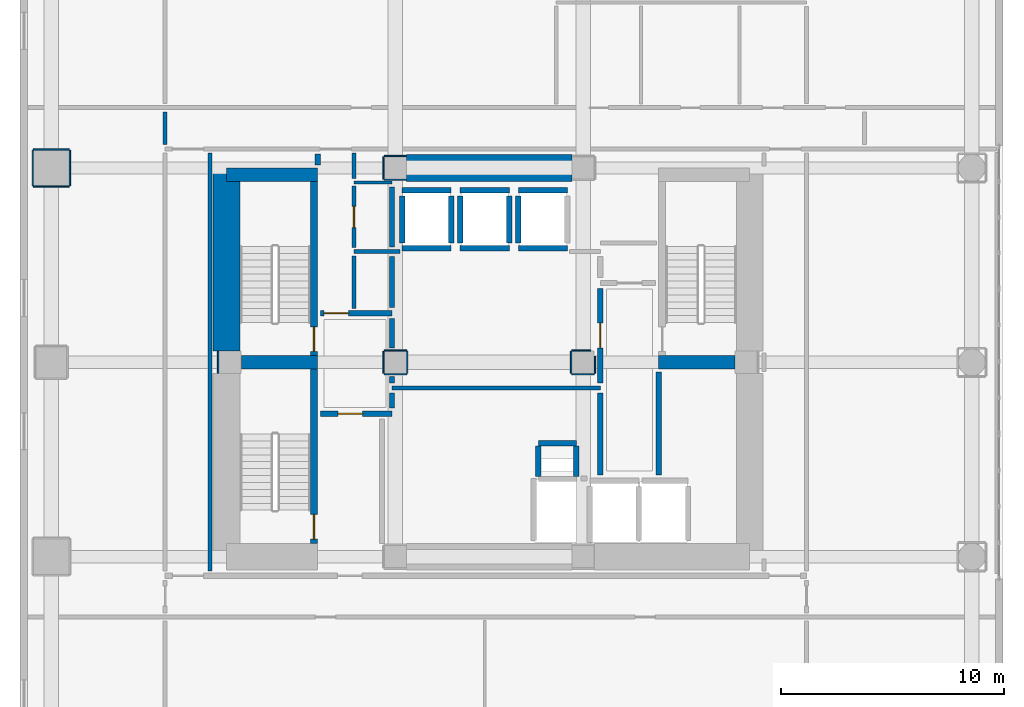
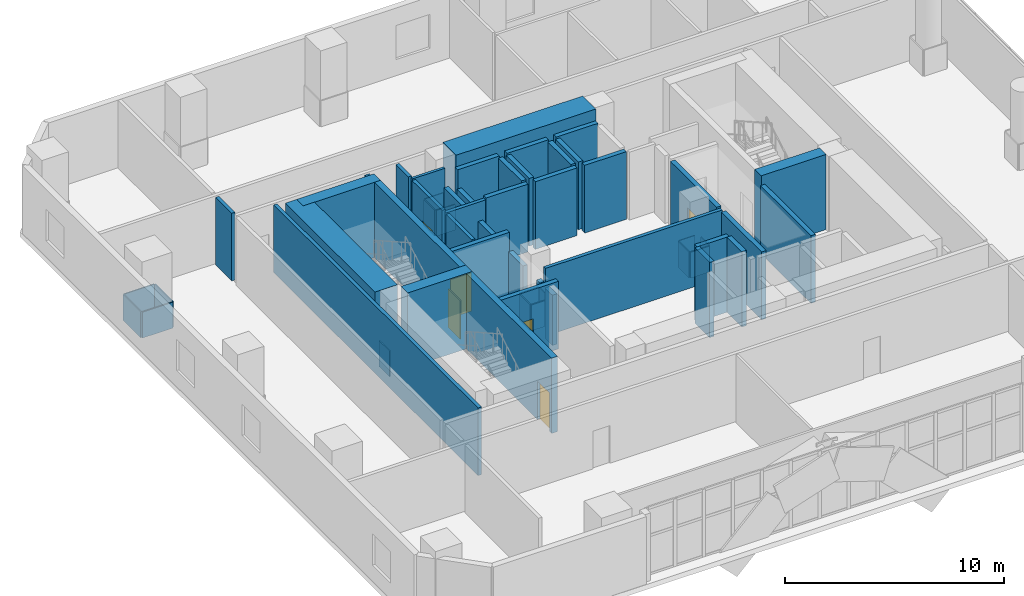
# One storey, part 15 of 22: 56 walls, 6 doors, 6 openings.
"""IFC4 building model written with IfcOpenShell, lengths in metres."""

from ifc_helpers import new_model, si_unit, direction, frame, frame_2d, origin, place, context, subcontext, project, spatial, rectangle, extrude, material, layer, layer_set, type_object, element, fill, save


model = new_model("IFC4")

# Units and contexts
model_context = context("Model", 3, precision=1e-05, world=origin(), true_north=direction((0.0, 1.0)))
body_context = subcontext(model_context, "Body", "Model", "MODEL_VIEW")
ifc_project = project(units=[si_unit("LENGTHUNIT", "METRE"), si_unit("AREAUNIT", "SQUARE_METRE"), si_unit("VOLUMEUNIT", "CUBIC_METRE"), si_unit("PLANEANGLEUNIT", "RADIAN"), si_unit("MASSUNIT", "GRAM", prefix="KILO")], contexts=[model_context])

# Site, building, storey
site_placement = place(None, origin())
site = spatial("IfcSite", under=ifc_project, at=site_placement, CompositionType="ELEMENT")
building_placement = place(site_placement, origin())
building = spatial("IfcBuilding", under=site, at=building_placement, Name="Solanera Arch Residences", CompositionType="ELEMENT")
storey_placement = place(building_placement, frame((0.0, 0.0, 13.60009765625)))
storey = spatial("IfcBuildingStorey", under=building, at=storey_placement, Name="L03", CompositionType="ELEMENT", Elevation=13.60009765625)

# Walls
ifc_material_1 = material(Name="Fire-Rated Gypsum Stud Partition", Category="gypsum")
ifc_layer_1 = layer(ifc_material_1, 0.06005859375)
ifc_layer_set_1 = layer_set([ifc_layer_1], Name="Fire-Rated Gypsum Stud Partition")
wall_type_1 = type_object("IfcWallType", Name="Column Acoustic Furring Wall 60", PredefinedType="PARTITIONING", material=ifc_layer_set_1)
for number, where, z_axis, x_axis, name in (
    (1, (20.300048828125, 38.867919921875, 0.0), (0.0, 0.0, 1.0), (1.0, 0.0, 0.0), "L03 Column Furring 3S"),
    (2, (20.300048828125, 39.931884765625, 0.0), (0.0, 0.0, 1.0), (1.0, 0.0, 0.0), "L03 Column Furring 3N"),
):
    element("IfcWall", number, at=place(storey_placement, frame(where, z_axis=z_axis, x_axis=x_axis)), inside=storey, type_object=wall_type_1, Name=name, PredefinedType="PARTITIONING", context=body_context, shape_type="SweptSolid", body=[
        extrude(rectangle(XDim=0.989990234375, YDim=0.06005859375, at=frame_2d((0.4951171875, 0.0))), origin(), (0.0, 0.0, 1.0), 1.449951171875),
    ])
wall_1_placement = place(storey_placement, frame((20.26806640625, 38.89990234375, 0.0), z_axis=(0.0, 0.0, 1.0), x_axis=(0.0, 1.0, 0.0)))
element("IfcWall", 3, at=wall_1_placement, inside=storey, type_object=wall_type_1, Name="L03 Column Furring 3W", PredefinedType="PARTITIONING", context=body_context, shape_type="SweptSolid", body=[
    extrude(rectangle(XDim=1.0, YDim=0.06005859375, at=frame_2d((0.5, 0.0))), origin(), (0.0, 0.0, 1.0), 1.449951171875),
])
wall_2_placement = place(storey_placement, frame((12.867919921875, 30.2099609375, 0.0), z_axis=(0.0, 0.0, 1.0), x_axis=(0.0, 1.0, 0.0)))
element("IfcWall", 4, at=wall_2_placement, inside=storey, type_object=wall_type_1, Name="L03 Column Furring 5W", PredefinedType="PARTITIONING", context=body_context, shape_type="SweptSolid", body=[
    extrude(rectangle(XDim=0.97998046875, YDim=0.06005859375, at=frame_2d((0.489990234375, 0.0))), origin(), (0.0, 0.0, 1.0), 1.449951171875),
])
for number, where, z_axis, x_axis, name in (
    (5, (20.300048828125, 30.16796875, 0.0), (0.0, 0.0, 1.0), (1.0, 0.0, 0.0), "L03 Column Furring 7S"),
    (6, (20.300048828125, 31.23193359375, 0.0), (0.0, 0.0, 1.0), (1.0, 0.0, 0.0), "L03 Column Furring 7N"),
    (7, (20.26806640625, 30.199951171875, 0.0), (0.0, 0.0, 1.0), (0.0, 1.0, 0.0), "L03 Column Furring 7W"),
    (8, (21.33203125, 30.199951171875, 0.0), (0.0, 0.0, 1.0), (0.0, 1.0, 0.0), "L03 Column Furring 7E"),
    (9, (28.699951171875, 30.16796875, 0.0), (0.0, 0.0, 1.0), (1.0, 0.0, 0.0), "L03 Column Furring 8S"),
):
    element("IfcWall", number, at=place(storey_placement, frame(where, z_axis=z_axis, x_axis=x_axis)), inside=storey, type_object=wall_type_1, Name=name, PredefinedType="PARTITIONING", context=body_context, shape_type="SweptSolid", body=[
        extrude(rectangle(XDim=1.0, YDim=0.06005859375, at=frame_2d((0.5, 0.0))), origin(), (0.0, 0.0, 1.0), 1.449951171875),
    ])
wall_3_placement = place(storey_placement, frame((28.699951171875, 31.23193359375, 0.0), z_axis=(0.0, 0.0, 1.0), x_axis=(1.0, 0.0, 0.0)))
element("IfcWall", 10, at=wall_3_placement, inside=storey, type_object=wall_type_1, Name="L03 Column Furring 8N", PredefinedType="PARTITIONING", context=body_context, shape_type="SweptSolid", body=[
    extrude(rectangle(XDim=0.841064453125, YDim=0.06005859375, at=frame_2d((0.42041015625, 0.0))), origin(), (0.0, 0.0, 1.0), 1.449951171875),
])
wall_4_placement = place(storey_placement, frame((28.66796875, 30.199951171875, 0.0), z_axis=(0.0, 0.0, 1.0), x_axis=(0.0, 1.0, 0.0)))
element("IfcWall", 11, at=wall_4_placement, inside=storey, type_object=wall_type_1, Name="L03 Column Furring 8W", PredefinedType="PARTITIONING", context=body_context, shape_type="SweptSolid", body=[
    extrude(rectangle(XDim=1.0, YDim=0.06005859375, at=frame_2d((0.5, 0.0))), origin(), (0.0, 0.0, 1.0), 1.449951171875),
])
wall_5_placement = place(storey_placement, frame((29.73193359375, 30.199951171875, 0.0), z_axis=(0.0, 0.0, 1.0), x_axis=(0.0, 1.0, 0.0)))
element("IfcWall", 12, at=wall_5_placement, inside=storey, type_object=wall_type_1, Name="L03 Column Furring 8E", PredefinedType="PARTITIONING", context=body_context, shape_type="SweptSolid", body=[
    extrude(rectangle(XDim=0.77197265625, YDim=0.06005859375, at=frame_2d((0.385986328125, 0.0))), origin(), (0.0, 0.0, 1.0), 1.449951171875),
])
for number, where, z_axis, x_axis, name in (
    (13, (4.60009765625, 38.568115234375, 0.0), (0.0, 0.0, 1.0), (1.0, 0.0, 0.0), "L03 Column Furring 17S"),
    (14, (4.60009765625, 40.23193359375, 0.0), (0.0, 0.0, 1.0), (1.0, 0.0, 0.0), "L03 Column Furring 17N"),
    (15, (4.568115234375, 38.60009765625, 0.0), (0.0, 0.0, 1.0), (0.0, 1.0, 0.0), "L03 Column Furring 17W"),
    (16, (6.23193359375, 38.60009765625, 0.0), (0.0, 0.0, 1.0), (0.0, 1.0, 0.0), "L03 Column Furring 17E"),
):
    element("IfcWall", number, at=place(storey_placement, frame(where, z_axis=z_axis, x_axis=x_axis)), inside=storey, type_object=wall_type_1, Name=name, PredefinedType="PARTITIONING", context=body_context, shape_type="SweptSolid", body=[
        extrude(rectangle(XDim=1.599853515625, YDim=0.06005859375, at=frame_2d((0.7998046875, 0.0))), origin(), (0.0, 0.0, 1.0), 1.449951171875),
    ])
ifc_material_2 = material(Name="Concrete C55/67 (f'c = 60 MPa)", Category="concrete")
ifc_layer_2 = layer(ifc_material_2, 1.199951171875)
ifc_layer_set_2 = layer_set([ifc_layer_2], Name="Concrete C55/67 (f'c = 60 MPa)")
wall_type_2 = type_object("IfcWallType", Name="Core Shear Wall CW-1200", PredefinedType="SHEAR", material=ifc_layer_set_2)
wall_6_placement = place(storey_placement, frame((13.239990234375, 31.205078125, 0.0), z_axis=(0.0, 0.0, 1.0), x_axis=(0.0, 1.0, 0.0)))
element("IfcWall", 17, at=wall_6_placement, inside=storey, type_object=wall_type_2, Name="L03 West Core North Shear Wall", PredefinedType="SHEAR", context=body_context, shape_type="SweptSolid", body=[
    extrude(rectangle(XDim=8.19482421875, YDim=1.199951171875, at=frame_2d((4.097412109375, 0.0))), origin(), (0.0, 0.0, 1.0), 4.199951171875),
])
wall_7_placement = place(storey_placement, frame((21.304931640625, 39.39990234375, 0.0), z_axis=(0.0, 0.0, 1.0), x_axis=(1.0, 0.0, 0.0)))
element("IfcWall", 18, at=wall_7_placement, inside=storey, type_object=wall_type_2, Name="L03 Central North Core Shear Wall", PredefinedType="SHEAR", context=body_context, shape_type="SweptSolid", body=[
    extrude(rectangle(XDim=7.39013671875, YDim=1.199951171875, at=frame_2d((3.695068359375, 0.0))), origin(), (0.0, 0.0, 1.0), 4.199951171875),
])

# Wall, opening, door
ifc_material_3 = material(Name="Concrete C40/50 (f'c = 45 MPa)", Category="concrete")
ifc_layer_3 = layer(ifc_material_3, 0.320068359375)
ifc_layer_set_3 = layer_set([ifc_layer_3], Name="Concrete C40/50 (f'c = 45 MPa)")
wall_type_3 = type_object("IfcWallType", Name="Core Shear Wall CW-320", PredefinedType="SHEAR", material=ifc_layer_set_3)
wall_8_placement = place(storey_placement, frame((17.159912109375, 31.0, 0.0), z_axis=(0.0, 0.0, 1.0), x_axis=(0.0, 1.0, 0.0)))
wall_8 = element("IfcWall", 19, at=wall_8_placement, inside=storey, type_object=wall_type_3, Name="L03 Stair ST-T1 East Shear Wall", PredefinedType="SHEAR", context=body_context, shape_type="SweptSolid", body=[
    extrude(rectangle(XDim=7.800048828125, YDim=0.320068359375, at=frame_2d((3.89990234375, 0.0))), origin(), (0.0, 0.0, 1.0), 4.199951171875),
])
opening_1_placement = place(wall_8_placement, frame((0.18994140625, 0.0, 0.0)))
opening_1 = element("IfcOpeningElement", 20, at=opening_1_placement, cuts=wall_8, Name="Opening DF-01", PredefinedType="OPENING", context=body_context, shape_type="SweptSolid", body=[
    extrude(rectangle(XDim=1.10009765625, YDim=2.14990234375, at=frame_2d((0.550048828125, 1.074951171875))), frame((0.0, 0.169921875, 0.0), z_axis=(0.0, -1.0, 0.0), x_axis=(1.0, 0.0, 0.0)), (0.0, 0.0, 1.0), 0.3401),
])
ifc_material_4 = material(Name="Fire-Rated Architectural Hardwood", Category="wood")
door_type_1 = type_object("IfcDoorType", Name="Stair Exit Fire Door DF-01", OperationType="NOTDEFINED", PredefinedType="DOOR", material=ifc_material_4)
door_1_placement = place(opening_1_placement, origin())
door_1 = element("IfcDoor", 21, at=door_1_placement, inside=storey, type_object=door_type_1, Name="DR-L03-STAIR-ST-T1", OperationType="SINGLE_SWING_RIGHT", OverallHeight=2.14990234375, OverallWidth=1.10009765625, PredefinedType="DOOR", context=body_context, shape_type="SweptSolid", body=[
    extrude(rectangle(XDim=1.10009765625, YDim=2.14990234375, at=frame_2d((0.550048828125, 1.074951171875))), frame((0.0, 0.02490234375, 0.0), z_axis=(0.0, -1.0, 0.0), x_axis=(1.0, 0.0, 0.0)), (0.0, 0.0, 1.0), 0.050048828125),
])
fill(opening_1, door_1)

wall_9_placement = place(storey_placement, frame((17.159912109375, 22.60009765625, 0.0), z_axis=(0.0, 0.0, 1.0), x_axis=(0.0, 1.0, 0.0)))
wall_9 = element("IfcWall", 22, at=wall_9_placement, inside=storey, type_object=wall_type_3, Name="L03 Stair ST-T3 East Shear Wall", PredefinedType="SHEAR", context=body_context, shape_type="SweptSolid", body=[
    extrude(rectangle(XDim=7.7998046875, YDim=0.320068359375, at=frame_2d((3.89990234375, 0.0))), origin(), (0.0, 0.0, 1.0), 4.199951171875),
])
opening_2_placement = place(wall_9_placement, frame((0.18994140625, 0.0, 0.0)))
opening_2 = element("IfcOpeningElement", 23, at=opening_2_placement, cuts=wall_9, Name="Opening DF-01", PredefinedType="OPENING", context=body_context, shape_type="SweptSolid", body=[
    extrude(rectangle(XDim=1.10009765625, YDim=2.14990234375, at=frame_2d((0.550048828125, 1.074951171875))), frame((0.0, 0.169921875, 0.0), z_axis=(0.0, -1.0, 0.0), x_axis=(1.0, 0.0, 0.0)), (0.0, 0.0, 1.0), 0.3401),
])
door_2_placement = place(opening_2_placement, origin())
door_2 = element("IfcDoor", 24, at=door_2_placement, inside=storey, type_object=door_type_1, Name="DR-L03-STAIR-ST-T3", OperationType="SINGLE_SWING_RIGHT", OverallHeight=2.14990234375, OverallWidth=1.10009765625, PredefinedType="DOOR", context=body_context, shape_type="SweptSolid", body=[
    extrude(rectangle(XDim=1.10009765625, YDim=2.14990234375, at=frame_2d((0.550048828125, 1.074951171875))), frame((0.0, 0.02490234375, 0.0), z_axis=(0.0, -1.0, 0.0), x_axis=(1.0, 0.0, 0.0)), (0.0, 0.0, 1.0), 0.050048828125),
])
fill(opening_2, door_2)

# Walls
ifc_material_5 = material(Name="Concrete C40/50 (f'c = 45 MPa)", Category="concrete")
ifc_layer_4 = layer(ifc_material_5, 0.60009765625)
ifc_layer_set_4 = layer_set([ifc_layer_4], Name="Concrete C40/50 (f'c = 45 MPa)")
wall_type_4 = type_object("IfcWallType", Name="Core Shear Wall CW-600", PredefinedType="SHEAR", material=ifc_layer_set_4)
wall_10_placement = place(storey_placement, frame((13.239990234375, 39.10009765625, 0.0), z_axis=(0.0, 0.0, 1.0), x_axis=(1.0, 0.0, 0.0)))
element("IfcWall", 25, at=wall_10_placement, inside=storey, type_object=wall_type_4, Name="L03 North-West Core Shear Wall", PredefinedType="SHEAR", context=body_context, shape_type="SweptSolid", body=[
    extrude(rectangle(XDim=4.080078125, YDim=0.60009765625, at=frame_2d((2.0400390625, 0.0))), origin(), (0.0, 0.0, 1.0), 4.199951171875),
])
for number, where, z_axis, x_axis, name in (
    (26, (13.905029296875, 30.699951171875, 0.0), (0.0, 0.0, 1.0), (1.0, 0.0, 0.0), "L03 West Stair Divider Shear Wall"),
    (27, (32.580078125, 30.699951171875, 0.0), (0.0, 0.0, 1.0), (1.0, 0.0, 0.0), "L03 East Stair Far-Landing Shear Wall"),
):
    element("IfcWall", number, at=place(storey_placement, frame(where, z_axis=z_axis, x_axis=x_axis)), inside=storey, type_object=wall_type_4, Name=name, PredefinedType="SHEAR", context=body_context, shape_type="SweptSolid", body=[
        extrude(rectangle(XDim=3.4150390625, YDim=0.60009765625, at=frame_2d((1.70751953125, 0.0))), origin(), (0.0, 0.0, 1.0), 4.199951171875),
    ])
ifc_material_6 = material(Name="Autoclaved Aerated Concrete Blockwork", Category="masonry")
ifc_layer_5 = layer(ifc_material_6, 0.179931640625)
ifc_layer_set_5 = layer_set([ifc_layer_5], Name="Autoclaved Aerated Concrete Blockwork")
wall_type_5 = type_object("IfcWallType", Name="Corridor Fire Partition 180", PredefinedType="PARTITIONING", material=ifc_layer_set_5)
wall_11_placement = place(storey_placement, frame((20.64990234375, 29.550048828125, 0.0), z_axis=(0.0, 0.0, 1.0), x_axis=(1.0, 0.0, 0.0)))
element("IfcWall", 28, at=wall_11_placement, inside=storey, type_object=wall_type_5, Name="L03 Interior Partition H10", PredefinedType="PARTITIONING", context=body_context, shape_type="SweptSolid", body=[
    extrude(rectangle(XDim=9.3251953125, YDim=0.179931640625, at=frame_2d((4.66259765625, 0.0))), origin(), (0.0, 0.0, 1.0), 3.77978515625),
])
wall_12_placement = place(storey_placement, frame((18.949951171875, 35.64990234375, 0.0), z_axis=(0.0, 0.0, 1.0), x_axis=(1.0, 0.0, 0.0)))
element("IfcWall", 29, at=wall_12_placement, inside=storey, type_object=wall_type_5, Name="L03 Interior Partition H11 1", PredefinedType="PARTITIONING", context=body_context, shape_type="SweptSolid", body=[
    extrude(rectangle(XDim=2.05712890625, YDim=0.179931640625, at=frame_2d((1.028564453125, 0.0))), origin(), (0.0, 0.0, 1.0), 3.77978515625),
])
wall_13_placement = place(storey_placement, frame((10.5, 40.43798828125, 0.0), z_axis=(0.0, 0.0, 1.0), x_axis=(0.0, 1.0, 0.0)))
element("IfcWall", 30, at=wall_13_placement, inside=storey, type_object=wall_type_5, Name="L03 Interior Partition V6 4", PredefinedType="PARTITIONING", context=body_context, shape_type="SweptSolid", body=[
    extrude(rectangle(XDim=1.47412109375, YDim=0.179931640625, at=frame_2d((0.737060546875, 0.0))), origin(), (0.0, 0.0, 1.0), 3.77978515625),
])
wall_14_placement = place(storey_placement, frame((12.5, 21.367919921875, 0.0), z_axis=(0.0, 0.0, 1.0), x_axis=(0.0, 1.0, 0.0)))
element("IfcWall", 31, at=wall_14_placement, inside=storey, type_object=wall_type_5, Name="L03 Interior Partition V7", PredefinedType="PARTITIONING", context=body_context, shape_type="SweptSolid", body=[
    extrude(rectangle(XDim=18.694091796875, YDim=0.179931640625, at=frame_2d((9.34716796875, 0.0))), origin(), (0.0, 0.0, 1.0), 3.77978515625),
])
wall_15_placement = place(storey_placement, frame((18.949951171875, 33.117919921875, 0.0), z_axis=(0.0, 0.0, 1.0), x_axis=(0.0, 1.0, 0.0)))
element("IfcWall", 32, at=wall_15_placement, inside=storey, type_object=wall_type_5, Name="L03 Interior Partition V8 1", PredefinedType="PARTITIONING", context=body_context, shape_type="SweptSolid", body=[
    extrude(rectangle(XDim=2.343994140625, YDim=0.179931640625, at=frame_2d((1.171875, 0.0))), origin(), (0.0, 0.0, 1.0), 3.77978515625),
])

# Wall, opening, door
wall_16_placement = place(storey_placement, frame((18.949951171875, 35.837890625, 0.0), z_axis=(0.0, 0.0, 1.0), x_axis=(0.0, 1.0, 0.0)))
wall_16 = element("IfcWall", 33, at=wall_16_placement, inside=storey, type_object=wall_type_5, Name="L03 Interior Partition V8 2", PredefinedType="PARTITIONING", context=body_context, shape_type="SweptSolid", body=[
    extrude(rectangle(XDim=2.744140625, YDim=0.179931640625, at=frame_2d((1.3720703125, 0.0))), origin(), (0.0, 0.0, 1.0), 3.77978515625),
])
opening_3_placement = place(wall_16_placement, frame((0.886962890625, 0.0, 0.0)))
opening_3 = element("IfcOpeningElement", 34, at=opening_3_placement, cuts=wall_16, Name="Opening DI-04", PredefinedType="OPENING", context=body_context, shape_type="SweptSolid", body=[
    extrude(rectangle(XDim=0.949951171875, YDim=2.10009765625, at=frame_2d((0.47509765625, 1.050048828125))), frame((0.0, 0.10009765625, 0.0), z_axis=(0.0, -1.0, 0.0), x_axis=(1.0, 0.0, 0.0)), (0.0, 0.0, 1.0), 0.1999),
])
ifc_material_7 = material(Name="Fire-Rated Architectural Hardwood", Category="wood")
door_type_2 = type_object("IfcDoorType", Name="Accessible Restroom Door DI-04", OperationType="NOTDEFINED", PredefinedType="DOOR", material=ifc_material_7)
door_3_placement = place(opening_3_placement, origin())
door_3 = element("IfcDoor", 35, at=door_3_placement, inside=storey, type_object=door_type_2, Name="DR-L03-IN-023", OperationType="SINGLE_SWING_RIGHT", OverallHeight=2.10009765625, OverallWidth=0.949951171875, PredefinedType="DOOR", context=body_context, shape_type="SweptSolid", body=[
    extrude(rectangle(XDim=0.949951171875, YDim=2.10009765625, at=frame_2d((0.47509765625, 1.050048828125))), frame((0.0, 0.02490234375, 0.0), z_axis=(0.0, -1.0, 0.0), x_axis=(1.0, 0.0, 0.0)), (0.0, 0.0, 1.0), 0.050048828125),
])
fill(opening_3, door_3)

# Walls
wall_17_placement = place(storey_placement, frame((18.949951171875, 38.91796875, 0.0), z_axis=(0.0, 0.0, 1.0), x_axis=(0.0, 1.0, 0.0)))
element("IfcWall", 36, at=wall_17_placement, inside=storey, type_object=wall_type_5, Name="L03 Interior Partition V8 3", PredefinedType="PARTITIONING", context=body_context, shape_type="SweptSolid", body=[
    extrude(rectangle(XDim=1.14404296875, YDim=0.179931640625, at=frame_2d((0.572021484375, 0.0))), origin(), (0.0, 0.0, 1.0), 3.77978515625),
])
ifc_material_8 = material(Name="Concrete C40/50 (f'c = 45 MPa)", Category="concrete")
ifc_layer_6 = layer(ifc_material_8, 0.239990234375)
ifc_layer_set_6 = layer_set([ifc_layer_6], Name="Concrete C40/50 (f'c = 45 MPa)")
wall_type_6 = type_object("IfcWallType", Name="Ramp Bearing Shear Wall RW-240", PredefinedType="SHEAR", material=ifc_layer_set_6)
wall_18_placement = place(storey_placement, frame((27.199951171875, 27.080078125, 0.0), z_axis=(0.0, 0.0, 1.0), x_axis=(1.0, 0.0, 0.0)))
element("IfcWall", 37, at=wall_18_placement, inside=storey, type_object=wall_type_6, Name="L03 Core MEP Riser North Shaft Wall", PredefinedType="SHEAR", context=body_context, shape_type="SweptSolid", body=[
    extrude(rectangle(XDim=1.699951171875, YDim=0.239990234375, at=frame_2d((0.85009765625, 0.0))), origin(), (0.0, 0.0, 1.0), 4.199951171875),
])
for number, where, z_axis, x_axis, name in (
    (38, (27.199951171875, 25.60009765625, 0.0), (0.0, 0.0, 1.0), (0.0, 1.0, 0.0), "L03 Core MEP Riser West Shaft Wall"),
    (39, (28.89990234375, 25.60009765625, 0.0), (0.0, 0.0, 1.0), (0.0, 1.0, 0.0), "L03 Core MEP Riser East Shaft Wall"),
):
    element("IfcWall", number, at=place(storey_placement, frame(where, z_axis=z_axis, x_axis=x_axis)), inside=storey, type_object=wall_type_6, Name=name, PredefinedType="SHEAR", context=body_context, shape_type="SweptSolid", body=[
        extrude(rectangle(XDim=1.35986328125, YDim=0.239990234375, at=frame_2d((0.679931640625, 0.0))), origin(), (0.0, 0.0, 1.0), 4.199951171875),
    ])
ifc_material_9 = material(Name="Autoclaved Aerated Concrete Blockwork", Category="masonry")
ifc_layer_7 = layer(ifc_material_9, 0.239990234375)
ifc_layer_set_7 = layer_set([ifc_layer_7], Name="Autoclaved Aerated Concrete Blockwork")
wall_type_7 = type_object("IfcWallType", Name="Shaft Wall Fire-Rated 240", PredefinedType="PARTITIONING", material=ifc_layer_set_7)
for number, where, z_axis, x_axis, name in (
    (40, (21.10009765625, 35.800048828125, 0.0), (0.0, 0.0, 1.0), (1.0, 0.0, 0.0), "L03 Lift PL-L1 Hoistway Wall S"),
    (41, (21.10009765625, 38.39990234375, 0.0), (0.0, 0.0, 1.0), (1.0, 0.0, 0.0), "L03 Lift PL-L1 Hoistway Wall N"),
):
    element("IfcWall", number, at=place(storey_placement, frame(where, z_axis=z_axis, x_axis=x_axis)), inside=storey, type_object=wall_type_7, Name=name, PredefinedType="PARTITIONING", context=body_context, shape_type="SweptSolid", body=[
        extrude(rectangle(XDim=2.199951171875, YDim=0.239990234375, at=frame_2d((1.10009765625, 0.0))), origin(), (0.0, 0.0, 1.0), 3.77978515625),
    ])
wall_19_placement = place(storey_placement, frame((21.10009765625, 36.048095703125, 0.0), z_axis=(0.0, 0.0, 1.0), x_axis=(0.0, 1.0, 0.0)))
element("IfcWall", 42, at=wall_19_placement, inside=storey, type_object=wall_type_7, Name="L03 Lift PL-L1 Hoistway Wall W", PredefinedType="PARTITIONING", context=body_context, shape_type="SweptSolid", body=[
    extrude(rectangle(XDim=2.10400390625, YDim=0.239990234375, at=frame_2d((1.052001953125, 0.0))), origin(), (0.0, 0.0, 1.0), 2.81494140625),
])
wall_20_placement = place(storey_placement, frame((23.300048828125, 36.048095703125, 0.0), z_axis=(0.0, 0.0, 1.0), x_axis=(0.0, 1.0, 0.0)))
element("IfcWall", 43, at=wall_20_placement, inside=storey, type_object=wall_type_7, Name="L03 Lift PL-L1 Hoistway Wall E", PredefinedType="PARTITIONING", context=body_context, shape_type="SweptSolid", body=[
    extrude(rectangle(XDim=2.10400390625, YDim=0.239990234375, at=frame_2d((1.052001953125, 0.0))), origin(), (0.0, 0.0, 1.0), 3.77978515625),
])
for number, where, z_axis, x_axis, name in (
    (44, (23.699951171875, 35.800048828125, 0.0), (0.0, 0.0, 1.0), (1.0, 0.0, 0.0), "L03 Lift PL-L2 Hoistway Wall S"),
    (45, (23.699951171875, 38.39990234375, 0.0), (0.0, 0.0, 1.0), (1.0, 0.0, 0.0), "L03 Lift PL-L2 Hoistway Wall N"),
):
    element("IfcWall", number, at=place(storey_placement, frame(where, z_axis=z_axis, x_axis=x_axis)), inside=storey, type_object=wall_type_7, Name=name, PredefinedType="PARTITIONING", context=body_context, shape_type="SweptSolid", body=[
        extrude(rectangle(XDim=2.199951171875, YDim=0.239990234375, at=frame_2d((1.10009765625, 0.0))), origin(), (0.0, 0.0, 1.0), 3.77978515625),
    ])
for number, where, z_axis, x_axis, name in (
    (46, (23.699951171875, 36.048095703125, 0.0), (0.0, 0.0, 1.0), (0.0, 1.0, 0.0), "L03 Lift PL-L2 Hoistway Wall W"),
    (47, (25.89990234375, 36.048095703125, 0.0), (0.0, 0.0, 1.0), (0.0, 1.0, 0.0), "L03 Lift PL-L2 Hoistway Wall E"),
):
    element("IfcWall", number, at=place(storey_placement, frame(where, z_axis=z_axis, x_axis=x_axis)), inside=storey, type_object=wall_type_7, Name=name, PredefinedType="PARTITIONING", context=body_context, shape_type="SweptSolid", body=[
        extrude(rectangle(XDim=2.10400390625, YDim=0.239990234375, at=frame_2d((1.052001953125, 0.0))), origin(), (0.0, 0.0, 1.0), 3.77978515625),
    ])
for number, where, z_axis, x_axis, name in (
    (48, (26.300048828125, 35.800048828125, 0.0), (0.0, 0.0, 1.0), (1.0, 0.0, 0.0), "L03 Lift PL-L3 Hoistway Wall S"),
    (49, (26.300048828125, 38.39990234375, 0.0), (0.0, 0.0, 1.0), (1.0, 0.0, 0.0), "L03 Lift PL-L3 Hoistway Wall N"),
):
    element("IfcWall", number, at=place(storey_placement, frame(where, z_axis=z_axis, x_axis=x_axis)), inside=storey, type_object=wall_type_7, Name=name, PredefinedType="PARTITIONING", context=body_context, shape_type="SweptSolid", body=[
        extrude(rectangle(XDim=2.199951171875, YDim=0.239990234375, at=frame_2d((1.10009765625, 0.0))), origin(), (0.0, 0.0, 1.0), 3.77978515625),
    ])
wall_21_placement = place(storey_placement, frame((26.300048828125, 36.048095703125, 0.0), z_axis=(0.0, 0.0, 1.0), x_axis=(0.0, 1.0, 0.0)))
element("IfcWall", 50, at=wall_21_placement, inside=storey, type_object=wall_type_7, Name="L03 Lift PL-L3 Hoistway Wall W", PredefinedType="PARTITIONING", context=body_context, shape_type="SweptSolid", body=[
    extrude(rectangle(XDim=2.10400390625, YDim=0.239990234375, at=frame_2d((1.052001953125, 0.0))), origin(), (0.0, 0.0, 1.0), 3.77978515625),
])

# Wall, opening, door
wall_22_placement = place(storey_placement, frame((17.449951171875, 28.39990234375, 0.0), z_axis=(0.0, 0.0, 1.0), x_axis=(1.0, 0.0, 0.0)))
wall_22 = element("IfcWall", 51, at=wall_22_placement, inside=storey, type_object=wall_type_7, Name="L03 Interior Partition H3", PredefinedType="PARTITIONING", context=body_context, shape_type="SweptSolid", body=[
    extrude(rectangle(XDim=3.199951171875, YDim=0.239990234375, at=frame_2d((1.60009765625, 0.0))), origin(), (0.0, 0.0, 1.0), 3.77978515625),
])
opening_4_placement = place(wall_22_placement, frame((0.783935546875, 0.0, 0.0)))
opening_4 = element("IfcOpeningElement", 52, at=opening_4_placement, cuts=wall_22, Name="Opening DF-02", PredefinedType="OPENING", context=body_context, shape_type="SweptSolid", body=[
    extrude(rectangle(XDim=1.10009765625, YDim=2.14990234375, at=frame_2d((0.550048828125, 1.074951171875))), frame((0.0, 0.1298828125, 0.0), z_axis=(0.0, -1.0, 0.0), x_axis=(1.0, 0.0, 0.0)), (0.0, 0.0, 1.0), 0.26),
])
ifc_material_10 = material(Name="Fire-Rated Architectural Hardwood", Category="wood")
door_type_3 = type_object("IfcDoorType", Name="Firefighting Lobby Fire Door DF-02", OperationType="NOTDEFINED", PredefinedType="DOOR", material=ifc_material_10)
door_4_placement = place(opening_4_placement, origin())
door_4 = element("IfcDoor", 53, at=door_4_placement, inside=storey, type_object=door_type_3, Name="DR-L03-IN-008", OperationType="SINGLE_SWING_LEFT", OverallHeight=2.14990234375, OverallWidth=1.10009765625, PredefinedType="DOOR", context=body_context, shape_type="SweptSolid", body=[
    extrude(rectangle(XDim=1.10009765625, YDim=2.14990234375, at=frame_2d((0.550048828125, 1.074951171875))), frame((0.0, 0.02490234375, 0.0), z_axis=(0.0, -1.0, 0.0), x_axis=(1.0, 0.0, 0.0)), (0.0, 0.0, 1.0), 0.050048828125),
])
fill(opening_4, door_4)

wall_23_placement = place(storey_placement, frame((17.449951171875, 32.89990234375, 0.0), z_axis=(0.0, 0.0, 1.0), x_axis=(1.0, 0.0, 0.0)))
wall_23 = element("IfcWall", 54, at=wall_23_placement, inside=storey, type_object=wall_type_7, Name="L03 Interior Partition H4", PredefinedType="PARTITIONING", context=body_context, shape_type="SweptSolid", body=[
    extrude(rectangle(XDim=3.199951171875, YDim=0.239990234375, at=frame_2d((1.60009765625, 0.0))), origin(), (0.0, 0.0, 1.0), 3.77978515625),
])
opening_5_placement = place(wall_23_placement, frame((0.158935546875, 0.0, 0.0)))
opening_5 = element("IfcOpeningElement", 55, at=opening_5_placement, cuts=wall_23, Name="Opening DF-02", PredefinedType="OPENING", context=body_context, shape_type="SweptSolid", body=[
    extrude(rectangle(XDim=1.10009765625, YDim=2.14990234375, at=frame_2d((0.550048828125, 1.074951171875))), frame((0.0, 0.1298828125, 0.0), z_axis=(0.0, -1.0, 0.0), x_axis=(1.0, 0.0, 0.0)), (0.0, 0.0, 1.0), 0.26),
])
door_5_placement = place(opening_5_placement, origin())
door_5 = element("IfcDoor", 56, at=door_5_placement, inside=storey, type_object=door_type_3, Name="DR-L03-IN-009", OperationType="SINGLE_SWING_RIGHT", OverallHeight=2.14990234375, OverallWidth=1.10009765625, PredefinedType="DOOR", context=body_context, shape_type="SweptSolid", body=[
    extrude(rectangle(XDim=1.10009765625, YDim=2.14990234375, at=frame_2d((0.550048828125, 1.074951171875))), frame((0.0, 0.02490234375, 0.0), z_axis=(0.0, -1.0, 0.0), x_axis=(1.0, 0.0, 0.0)), (0.0, 0.0, 1.0), 0.050048828125),
])
fill(opening_5, door_5)

# Walls
wall_24_placement = place(storey_placement, frame((17.320068359375, 39.530029296875, 0.0), z_axis=(0.0, 0.0, 1.0), x_axis=(0.0, 1.0, 0.0)))
element("IfcWall", 57, at=wall_24_placement, inside=storey, type_object=wall_type_7, Name="L03 Interior Partition V1", PredefinedType="PARTITIONING", context=body_context, shape_type="SweptSolid", body=[
    extrude(rectangle(XDim=0.501953125, YDim=0.239990234375, at=frame_2d((0.2509765625, 0.0))), origin(), (0.0, 0.0, 1.0), 3.77978515625),
])
wall_25_placement = place(storey_placement, frame((20.64990234375, 28.64794921875, 0.0), z_axis=(0.0, 0.0, 1.0), x_axis=(0.0, 1.0, 0.0)))
element("IfcWall", 58, at=wall_25_placement, inside=storey, type_object=wall_type_7, Name="L03 Interior Partition V3 1", PredefinedType="PARTITIONING", context=body_context, shape_type="SweptSolid", body=[
    extrude(rectangle(XDim=0.68408203125, YDim=0.239990234375, at=frame_2d((0.342041015625, 0.0))), origin(), (0.0, 0.0, 1.0), 2.81494140625),
])
wall_26_placement = place(storey_placement, frame((20.64990234375, 29.76806640625, 0.0), z_axis=(0.0, 0.0, 1.0), x_axis=(0.0, 1.0, 0.0)))
element("IfcWall", 59, at=wall_26_placement, inside=storey, type_object=wall_type_7, Name="L03 Interior Partition V3 2", PredefinedType="PARTITIONING", context=body_context, shape_type="SweptSolid", body=[
    extrude(rectangle(XDim=0.300048828125, YDim=0.239990234375, at=frame_2d((0.14990234375, 0.0))), origin(), (0.0, 0.0, 1.0), 2.81494140625),
])
wall_27_placement = place(storey_placement, frame((20.64990234375, 31.33203125, 0.0), z_axis=(0.0, 0.0, 1.0), x_axis=(0.0, 1.0, 0.0)))
element("IfcWall", 60, at=wall_27_placement, inside=storey, type_object=wall_type_7, Name="L03 Interior Partition V3 3", PredefinedType="PARTITIONING", context=body_context, shape_type="SweptSolid", body=[
    extrude(rectangle(XDim=1.320068359375, YDim=0.239990234375, at=frame_2d((0.66015625, 0.0))), origin(), (0.0, 0.0, 1.0), 2.81494140625),
])
wall_28_placement = place(storey_placement, frame((20.64990234375, 33.14794921875, 0.0), z_axis=(0.0, 0.0, 1.0), x_axis=(0.0, 1.0, 0.0)))
element("IfcWall", 61, at=wall_28_placement, inside=storey, type_object=wall_type_7, Name="L03 Interior Partition V3 4", PredefinedType="PARTITIONING", context=body_context, shape_type="SweptSolid", body=[
    extrude(rectangle(XDim=2.283935546875, YDim=0.239990234375, at=frame_2d((1.14208984375, 0.0))), origin(), (0.0, 0.0, 1.0), 2.81494140625),
])
wall_29_placement = place(storey_placement, frame((20.64990234375, 35.867919921875, 0.0), z_axis=(0.0, 0.0, 1.0), x_axis=(0.0, 1.0, 0.0)))
element("IfcWall", 62, at=wall_29_placement, inside=storey, type_object=wall_type_7, Name="L03 Interior Partition V3 5", PredefinedType="PARTITIONING", context=body_context, shape_type="SweptSolid", body=[
    extrude(rectangle(XDim=2.68408203125, YDim=0.239990234375, at=frame_2d((1.342041015625, 0.0))), origin(), (0.0, 0.0, 1.0), 2.81494140625),
])
wall_30_placement = place(storey_placement, frame((29.97509765625, 25.64794921875, 0.0), z_axis=(0.0, 0.0, 1.0), x_axis=(0.0, 1.0, 0.0)))
element("IfcWall", 63, at=wall_30_placement, inside=storey, type_object=wall_type_7, Name="L03 Interior Partition V4 1", PredefinedType="PARTITIONING", context=body_context, shape_type="SweptSolid", body=[
    extrude(rectangle(XDim=3.68408203125, YDim=0.239990234375, at=frame_2d((1.842041015625, 0.0))), origin(), (0.0, 0.0, 1.0), 3.77978515625),
])

# Wall, opening, door
wall_31_placement = place(storey_placement, frame((29.97509765625, 29.76806640625, 0.0), z_axis=(0.0, 0.0, 1.0), x_axis=(0.0, 1.0, 0.0)))
wall_31 = element("IfcWall", 64, at=wall_31_placement, inside=storey, type_object=wall_type_7, Name="L03 Interior Partition V4 2", PredefinedType="PARTITIONING", context=body_context, shape_type="SweptSolid", body=[
    extrude(rectangle(XDim=4.23388671875, YDim=0.239990234375, at=frame_2d((2.116943359375, 0.0))), origin(), (0.0, 0.0, 1.0), 3.77978515625),
])
opening_6_placement = place(wall_31_placement, frame((1.58203125, 0.0, 0.0)))
opening_6 = element("IfcOpeningElement", 65, at=opening_6_placement, cuts=wall_31, Name="Opening DF-02", PredefinedType="OPENING", context=body_context, shape_type="SweptSolid", body=[
    extrude(rectangle(XDim=1.10009765625, YDim=2.14990234375, at=frame_2d((0.550048828125, 1.074951171875))), frame((0.0, 0.1298828125, 0.0), z_axis=(0.0, -1.0, 0.0), x_axis=(1.0, 0.0, 0.0)), (0.0, 0.0, 1.0), 0.26),
])
door_6_placement = place(opening_6_placement, origin())
door_6 = element("IfcDoor", 66, at=door_6_placement, inside=storey, type_object=door_type_3, Name="DR-L03-IN-010", OperationType="SINGLE_SWING_LEFT", OverallHeight=2.14990234375, OverallWidth=1.10009765625, PredefinedType="DOOR", context=body_context, shape_type="SweptSolid", body=[
    extrude(rectangle(XDim=1.10009765625, YDim=2.14990234375, at=frame_2d((0.550048828125, 1.074951171875))), frame((0.0, 0.02490234375, 0.0), z_axis=(0.0, -1.0, 0.0), x_axis=(1.0, 0.0, 0.0)), (0.0, 0.0, 1.0), 0.050048828125),
])
fill(opening_6, door_6)

# Walls
wall_32_placement = place(storey_placement, frame((32.580078125, 25.64794921875, 0.0), z_axis=(0.0, 0.0, 1.0), x_axis=(0.0, 1.0, 0.0)))
element("IfcWall", 67, at=wall_32_placement, inside=storey, type_object=wall_type_7, Name="L03 Interior Partition V5", PredefinedType="PARTITIONING", context=body_context, shape_type="SweptSolid", body=[
    extrude(rectangle(XDim=4.6220703125, YDim=0.239990234375, at=frame_2d((2.31103515625, 0.0))), origin(), (0.0, 0.0, 1.0), 3.77978515625),
])
ifc_material_11 = material(Name="Autoclaved Aerated Concrete Blockwork", Category="masonry")
ifc_layer_8 = layer(ifc_material_11, 0.139892578125)
ifc_layer_set_8 = layer_set([ifc_layer_8], Name="Autoclaved Aerated Concrete Blockwork")
wall_type_8 = type_object("IfcWallType", Name="Wet-Room Partition 140", PredefinedType="PARTITIONING", material=ifc_layer_set_8)
wall_33_placement = place(storey_placement, frame((18.949951171875, 38.75, 0.0), z_axis=(0.0, 0.0, 1.0), x_axis=(1.0, 0.0, 0.0)))
element("IfcWall", 68, at=wall_33_placement, inside=storey, type_object=wall_type_8, Name="L03 Interior Partition H17", PredefinedType="PARTITIONING", context=body_context, shape_type="SweptSolid", body=[
    extrude(rectangle(XDim=1.699951171875, YDim=0.139892578125, at=frame_2d((0.85009765625, 0.0))), origin(), (0.0, 0.0, 1.0), 3.77978515625),
])

save(model, "model.ifc")
